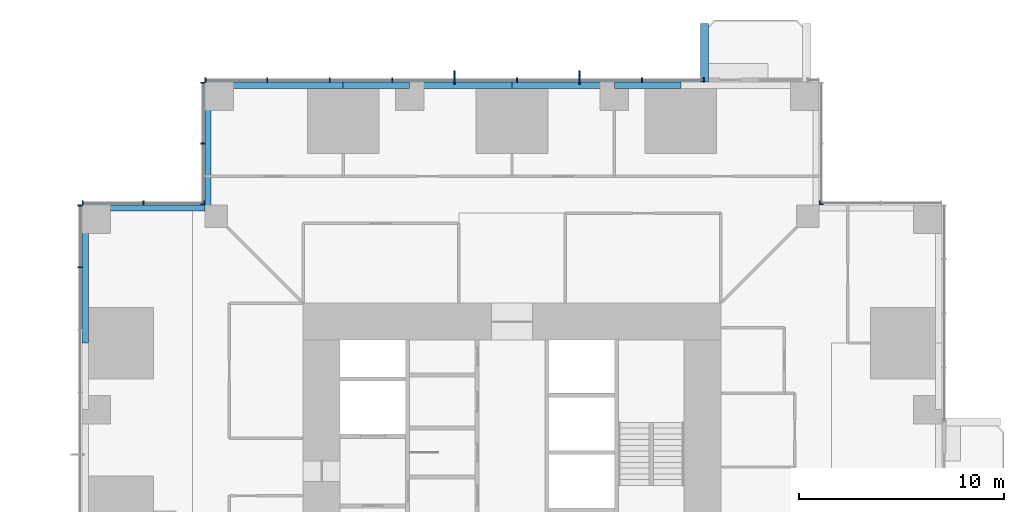
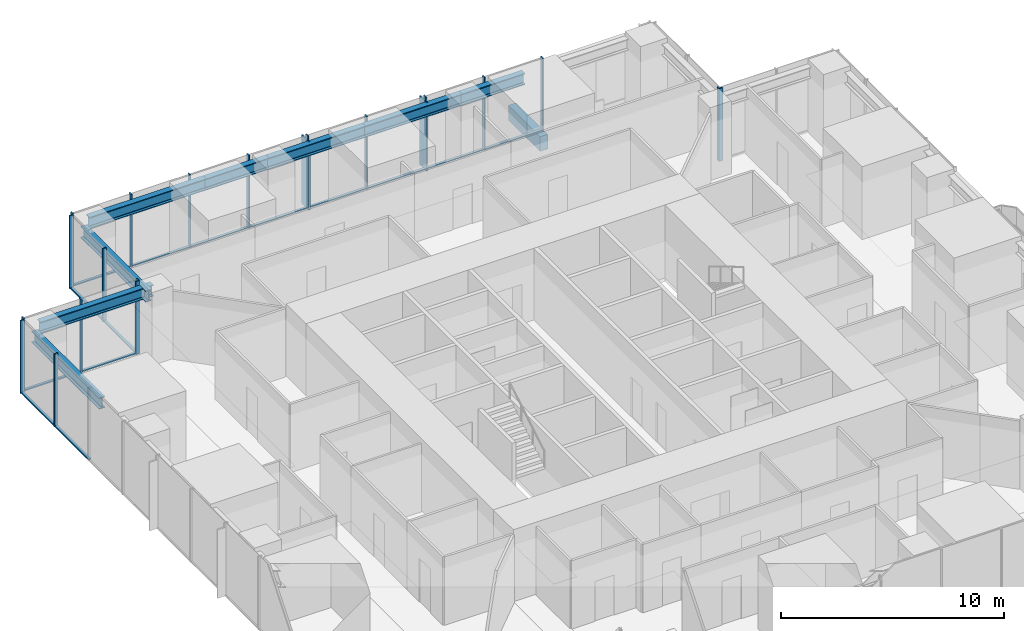
# One storey, part 5 of 18: 35 members, 9 beams, 6 elements without a shape of their own.
"""IFC4 building model written with IfcOpenShell, lengths in metres."""

from ifc_helpers import new_model, si_unit, direction, frame, origin, origin_2d, place, context, subcontext, project, spatial, rectangle, i_section, extrude, material, material_profile, profile_set, type_object, element, aggregate, save


model = new_model("IFC4")

# Units and contexts
model_context = context("Model", 3, precision=1e-05, world=origin(), true_north=direction((0.0, 1.0)))
body_context = subcontext(model_context, "Body", "Model", "MODEL_VIEW")
ifc_project = project(units=[si_unit("LENGTHUNIT", "METRE"), si_unit("AREAUNIT", "SQUARE_METRE"), si_unit("VOLUMEUNIT", "CUBIC_METRE"), si_unit("PLANEANGLEUNIT", "RADIAN"), si_unit("MASSUNIT", "GRAM", prefix="KILO")], contexts=[model_context])

# Site, building, storey
site_placement = place(None, origin())
site = spatial("IfcSite", under=ifc_project, at=site_placement, CompositionType="ELEMENT")
building_placement = place(site_placement, origin())
building = spatial("IfcBuilding", under=site, at=building_placement, Name="Svetlomir Tower", CompositionType="ELEMENT")
storey_placement = place(building_placement, frame((0.0, 0.0, 54.5)))
storey = spatial("IfcBuildingStorey", under=building, at=storey_placement, Name="L12", CompositionType="ELEMENT", Elevation=54.5)

# Beam
ifc_material_1 = material(Name="Concrete C60/75", Category="concrete")
ifc_material_profile_1 = material_profile(ifc_material_1, rectangle(XDim=0.39990234375, YDim=0.800048828125, at=origin_2d()), Name="RC 400x800")
ifc_profile_set_1 = profile_set([ifc_material_profile_1], Name="Concrete C60/75")
beam_type_1 = type_object("IfcBeamType", Name="BALCONY RIB RC 400x800", PredefinedType="BEAM", material=ifc_profile_set_1)
beam_1_placement = place(storey_placement, frame((30.39990234375, 42.0, -0.64990234375), z_axis=(0.0, 1.0, 0.0), x_axis=(-1.0, 0.0, 0.0)))
element("IfcBeam", 1, at=beam_1_placement, inside=storey, type_object=beam_type_1, Name="Balcony rib N 1 L12", PredefinedType="BEAM", context=body_context, shape_type="SweptSolid", body=[
    extrude(rectangle(XDim=0.39990234375, YDim=0.800048828125, at=origin_2d()), origin(), (0.0, 0.0, 1.0), 2.85009765625),
])

# Curtain wall, members
ifc_material_2 = material(Name="Bronze anodised aluminium curtain wall", Category="aluminium")
curtain_wall_type = type_object("IfcCurtainWallType", Name="CURTAIN WALL CW1 TOWER OFFICE", PredefinedType="NOTDEFINED", material=ifc_material_2)
curtain_wall_1_placement = place(storey_placement, origin())
curtain_wall_1 = element("IfcCurtainWall", 2, at=curtain_wall_1_placement, inside=storey, type_object=curtain_wall_type, Name="Curtain wall CW1 L12", PredefinedType="NOTDEFINED")
ifc_material_3 = material(Name="Bronze anodised aluminium", Category="aluminium")
ifc_material_profile_2 = material_profile(ifc_material_3, rectangle(XDim=0.080078125, YDim=0.64990234375, at=origin_2d()), Name="FIN 80x650")
ifc_profile_set_2 = profile_set([ifc_material_profile_2], Name="Bronze anodised aluminium 6063-T6")
member_type_1 = type_object("IfcMemberType", Name="BRONZE FIN 80x650", PredefinedType="USERDEFINED", material=ifc_profile_set_2)
member_1_placement = place(storey_placement, frame((24.300048828125, 42.22509765625, 0.0), z_axis=(0.0, 0.0, 1.0), x_axis=(1.0, 0.0, 0.0)))
member_1 = element("IfcMember", 3, at=member_1_placement, type_object=member_type_1, Name="Bronze fin L12", ObjectType="FIN", PredefinedType="USERDEFINED", context=body_context, shape_type="SweptSolid", body=[
    extrude(rectangle(XDim=0.080078125, YDim=0.64990234375, at=origin_2d()), origin(), (0.0, 0.0, 1.0), 3.75),
])
member_2_placement = place(storey_placement, frame((18.199951171875, 42.22509765625, 0.0), z_axis=(0.0, 0.0, 1.0), x_axis=(1.0, 0.0, 0.0)))
member_2 = element("IfcMember", 4, at=member_2_placement, type_object=member_type_1, Name="Bronze fin L12", ObjectType="FIN", PredefinedType="USERDEFINED", context=body_context, shape_type="SweptSolid", body=[
    extrude(rectangle(XDim=0.080078125, YDim=0.64990234375, at=origin_2d()), origin(), (0.0, 0.0, 1.0), 3.75),
])

# Curtain wall, member
curtain_wall_2_placement = place(storey_placement, origin())
curtain_wall_2 = element("IfcCurtainWall", 5, at=curtain_wall_2_placement, inside=storey, type_object=curtain_wall_type, Name="Curtain wall CW1 L12", PredefinedType="NOTDEFINED")
ifc_material_4 = material(Name="Bronze anodised aluminium", Category="aluminium")
ifc_material_profile_3 = material_profile(ifc_material_4, rectangle(XDim=0.06494140625, YDim=0.199951171875, at=origin_2d()), Name="AL 65x200")
ifc_profile_set_3 = profile_set([ifc_material_profile_3], Name="Bronze anodised aluminium 6063-T6")
member_type_2 = type_object("IfcMemberType", Name="CW1 MULLION 65x200", PredefinedType="MULLION", material=ifc_profile_set_3)
member_3_placement = place(storey_placement, frame((36.032470703125, 36.10009765625, 0.0), z_axis=(0.0, 0.0, 1.0), x_axis=(-1.0, 0.0, 0.0)))
member_3 = element("IfcMember", 6, at=member_3_placement, type_object=member_type_2, Name="CW1 mullion 3", PredefinedType="MULLION", context=body_context, shape_type="SweptSolid", body=[
    extrude(rectangle(XDim=0.06494140625, YDim=0.199951171875, at=origin_2d()), origin(), (0.0, 0.0, 1.0), 4.0),
])
aggregate(curtain_wall_2, [member_3])

curtain_wall_3_placement = place(storey_placement, origin())
curtain_wall_3 = element("IfcCurtainWall", 7, at=curtain_wall_3_placement, inside=storey, type_object=curtain_wall_type, Name="Curtain wall CW1 L12", PredefinedType="NOTDEFINED")
member_4_placement = place(storey_placement, frame((36.10009765625, 36.032470703125, 0.0), z_axis=(0.0, 0.0, 1.0), x_axis=(0.0, 1.0, 0.0)))
member_4 = element("IfcMember", 8, at=member_4_placement, type_object=member_type_2, Name="CW1 mullion 1", PredefinedType="MULLION", context=body_context, shape_type="SweptSolid", body=[
    extrude(rectangle(XDim=0.06494140625, YDim=0.199951171875, at=origin_2d()), origin(), (0.0, 0.0, 1.0), 4.0),
])
aggregate(curtain_wall_3, [member_4])

# Member
member_5_placement = place(storey_placement, frame((30.367431640625, 42.10009765625, 0.0), z_axis=(0.0, 0.0, 1.0), x_axis=(-1.0, 0.0, 0.0)))
member_5 = element("IfcMember", 9, at=member_5_placement, type_object=member_type_2, Name="CW1 mullion 1", PredefinedType="MULLION", context=body_context, shape_type="SweptSolid", body=[
    extrude(rectangle(XDim=0.06494140625, YDim=0.199951171875, at=origin_2d()), origin(), (0.0, 0.0, 1.0), 4.0),
])

member_6_placement = place(storey_placement, frame((27.35009765625, 42.10009765625, 0.0), z_axis=(0.0, 0.0, 1.0), x_axis=(-1.0, 0.0, 0.0)))
member_6 = element("IfcMember", 10, at=member_6_placement, type_object=member_type_2, Name="CW1 mullion 2", PredefinedType="MULLION", context=body_context, shape_type="SweptSolid", body=[
    extrude(rectangle(XDim=0.06494140625, YDim=0.199951171875, at=origin_2d()), origin(), (0.0, 0.0, 1.0), 4.0),
])

member_7_placement = place(storey_placement, frame((24.300048828125, 42.10009765625, 0.0), z_axis=(0.0, 0.0, 1.0), x_axis=(-1.0, 0.0, 0.0)))
member_7 = element("IfcMember", 11, at=member_7_placement, type_object=member_type_2, Name="CW1 mullion 3", PredefinedType="MULLION", context=body_context, shape_type="SweptSolid", body=[
    extrude(rectangle(XDim=0.06494140625, YDim=0.199951171875, at=origin_2d()), origin(), (0.0, 0.0, 1.0), 4.0),
])

member_8_placement = place(storey_placement, frame((21.25, 42.10009765625, 0.0), z_axis=(0.0, 0.0, 1.0), x_axis=(-1.0, 0.0, 0.0)))
member_8 = element("IfcMember", 12, at=member_8_placement, type_object=member_type_2, Name="CW1 mullion 4", PredefinedType="MULLION", context=body_context, shape_type="SweptSolid", body=[
    extrude(rectangle(XDim=0.06494140625, YDim=0.199951171875, at=origin_2d()), origin(), (0.0, 0.0, 1.0), 4.0),
])

member_9_placement = place(storey_placement, frame((18.199951171875, 42.10009765625, 0.0), z_axis=(0.0, 0.0, 1.0), x_axis=(-1.0, 0.0, 0.0)))
member_9 = element("IfcMember", 13, at=member_9_placement, type_object=member_type_2, Name="CW1 mullion 5", PredefinedType="MULLION", context=body_context, shape_type="SweptSolid", body=[
    extrude(rectangle(XDim=0.06494140625, YDim=0.199951171875, at=origin_2d()), origin(), (0.0, 0.0, 1.0), 4.0),
])

member_10_placement = place(storey_placement, frame((15.14990234375, 42.10009765625, 0.0), z_axis=(0.0, 0.0, 1.0), x_axis=(-1.0, 0.0, 0.0)))
member_10 = element("IfcMember", 14, at=member_10_placement, type_object=member_type_2, Name="CW1 mullion 6", PredefinedType="MULLION", context=body_context, shape_type="SweptSolid", body=[
    extrude(rectangle(XDim=0.06494140625, YDim=0.199951171875, at=origin_2d()), origin(), (0.0, 0.0, 1.0), 4.0),
])

member_11_placement = place(storey_placement, frame((12.10009765625, 42.10009765625, 0.0), z_axis=(0.0, 0.0, 1.0), x_axis=(-1.0, 0.0, 0.0)))
member_11 = element("IfcMember", 15, at=member_11_placement, type_object=member_type_2, Name="CW1 mullion 7", PredefinedType="MULLION", context=body_context, shape_type="SweptSolid", body=[
    extrude(rectangle(XDim=0.06494140625, YDim=0.199951171875, at=origin_2d()), origin(), (0.0, 0.0, 1.0), 4.0),
])

member_12_placement = place(storey_placement, frame((9.050048828125, 42.10009765625, 0.0), z_axis=(0.0, 0.0, 1.0), x_axis=(-1.0, 0.0, 0.0)))
member_12 = element("IfcMember", 16, at=member_12_placement, type_object=member_type_2, Name="CW1 mullion 8", PredefinedType="MULLION", context=body_context, shape_type="SweptSolid", body=[
    extrude(rectangle(XDim=0.06494140625, YDim=0.199951171875, at=origin_2d()), origin(), (0.0, 0.0, 1.0), 4.0),
])

member_13_placement = place(storey_placement, frame((6.032470703125, 42.10009765625, 0.0), z_axis=(0.0, 0.0, 1.0), x_axis=(-1.0, 0.0, 0.0)))
member_13 = element("IfcMember", 17, at=member_13_placement, type_object=member_type_2, Name="CW1 mullion 9", PredefinedType="MULLION", context=body_context, shape_type="SweptSolid", body=[
    extrude(rectangle(XDim=0.06494140625, YDim=0.199951171875, at=origin_2d()), origin(), (0.0, 0.0, 1.0), 4.0),
])

# Curtain wall, members
curtain_wall_4_placement = place(storey_placement, origin())
curtain_wall_4 = element("IfcCurtainWall", 18, at=curtain_wall_4_placement, inside=storey, type_object=curtain_wall_type, Name="Curtain wall CW1 L12", PredefinedType="NOTDEFINED")
member_14_placement = place(storey_placement, frame((5.89990234375, 41.967529296875, 0.0), z_axis=(0.0, 0.0, 1.0), x_axis=(0.0, -1.0, 0.0)))
member_14 = element("IfcMember", 19, at=member_14_placement, type_object=member_type_2, Name="CW1 mullion 1", PredefinedType="MULLION", context=body_context, shape_type="SweptSolid", body=[
    extrude(rectangle(XDim=0.06494140625, YDim=0.199951171875, at=origin_2d()), origin(), (0.0, 0.0, 1.0), 4.0),
])
member_15_placement = place(storey_placement, frame((5.89990234375, 39.0, 0.0), z_axis=(0.0, 0.0, 1.0), x_axis=(0.0, -1.0, 0.0)))
member_15 = element("IfcMember", 20, at=member_15_placement, type_object=member_type_2, Name="CW1 mullion 2", PredefinedType="MULLION", context=body_context, shape_type="SweptSolid", body=[
    extrude(rectangle(XDim=0.06494140625, YDim=0.199951171875, at=origin_2d()), origin(), (0.0, 0.0, 1.0), 4.0),
])
member_16_placement = place(storey_placement, frame((5.89990234375, 36.032470703125, 0.0), z_axis=(0.0, 0.0, 1.0), x_axis=(0.0, -1.0, 0.0)))
member_16 = element("IfcMember", 21, at=member_16_placement, type_object=member_type_2, Name="CW1 mullion 3", PredefinedType="MULLION", context=body_context, shape_type="SweptSolid", body=[
    extrude(rectangle(XDim=0.06494140625, YDim=0.199951171875, at=origin_2d()), origin(), (0.0, 0.0, 1.0), 4.0),
])

curtain_wall_5_placement = place(storey_placement, origin())
curtain_wall_5 = element("IfcCurtainWall", 22, at=curtain_wall_5_placement, inside=storey, type_object=curtain_wall_type, Name="Curtain wall CW1 L12", PredefinedType="NOTDEFINED")
member_17_placement = place(storey_placement, frame((5.967529296875, 36.10009765625, 0.0), z_axis=(0.0, 0.0, 1.0), x_axis=(-1.0, 0.0, 0.0)))
member_17 = element("IfcMember", 23, at=member_17_placement, type_object=member_type_2, Name="CW1 mullion 1", PredefinedType="MULLION", context=body_context, shape_type="SweptSolid", body=[
    extrude(rectangle(XDim=0.06494140625, YDim=0.199951171875, at=origin_2d()), origin(), (0.0, 0.0, 1.0), 4.0),
])
member_18_placement = place(storey_placement, frame((3.0, 36.10009765625, 0.0), z_axis=(0.0, 0.0, 1.0), x_axis=(-1.0, 0.0, 0.0)))
member_18 = element("IfcMember", 24, at=member_18_placement, type_object=member_type_2, Name="CW1 mullion 2", PredefinedType="MULLION", context=body_context, shape_type="SweptSolid", body=[
    extrude(rectangle(XDim=0.06494140625, YDim=0.199951171875, at=origin_2d()), origin(), (0.0, 0.0, 1.0), 4.0),
])
member_19_placement = place(storey_placement, frame((0.032470703125, 36.10009765625, 0.0), z_axis=(0.0, 0.0, 1.0), x_axis=(-1.0, 0.0, 0.0)))
member_19 = element("IfcMember", 25, at=member_19_placement, type_object=member_type_2, Name="CW1 mullion 3", PredefinedType="MULLION", context=body_context, shape_type="SweptSolid", body=[
    extrude(rectangle(XDim=0.06494140625, YDim=0.199951171875, at=origin_2d()), origin(), (0.0, 0.0, 1.0), 4.0),
])

curtain_wall_6_placement = place(storey_placement, origin())
curtain_wall_6 = element("IfcCurtainWall", 26, at=curtain_wall_6_placement, inside=storey, type_object=curtain_wall_type, Name="Curtain wall CW1 L12", PredefinedType="NOTDEFINED")
member_20_placement = place(storey_placement, frame((-0.10009765625, 35.967529296875, 0.0), z_axis=(0.0, 0.0, 1.0), x_axis=(0.0, -1.0, 0.0)))
member_20 = element("IfcMember", 27, at=member_20_placement, type_object=member_type_2, Name="CW1 mullion 1", PredefinedType="MULLION", context=body_context, shape_type="SweptSolid", body=[
    extrude(rectangle(XDim=0.06494140625, YDim=0.199951171875, at=origin_2d()), origin(), (0.0, 0.0, 1.0), 4.0),
])
member_21_placement = place(storey_placement, frame((-0.10009765625, 32.949951171875, 0.0), z_axis=(0.0, 0.0, 1.0), x_axis=(0.0, -1.0, 0.0)))
member_21 = element("IfcMember", 28, at=member_21_placement, type_object=member_type_2, Name="CW1 mullion 2", PredefinedType="MULLION", context=body_context, shape_type="SweptSolid", body=[
    extrude(rectangle(XDim=0.06494140625, YDim=0.199951171875, at=origin_2d()), origin(), (0.0, 0.0, 1.0), 4.0),
])

# Member
ifc_material_5 = material(Name="Bronze anodised aluminium", Category="aluminium")
ifc_material_profile_4 = material_profile(ifc_material_5, rectangle(XDim=0.139892578125, YDim=0.06494140625, at=origin_2d()), Name="AL 140x65")
ifc_profile_set_4 = profile_set([ifc_material_profile_4], Name="Bronze anodised aluminium 6063-T6")
member_type_3 = type_object("IfcMemberType", Name="CW1 TRANSOM 65x140", PredefinedType="USERDEFINED", material=ifc_profile_set_4)
member_22_placement = place(storey_placement, frame((30.3349609375, 42.10009765625, 0.032470703125), z_axis=(-1.0, 0.0, 0.0), x_axis=(0.0, -1.0, 0.0)))
member_22 = element("IfcMember", 29, at=member_22_placement, type_object=member_type_3, Name="CW1 transom 1.1", ObjectType="TRANSOM", PredefinedType="USERDEFINED", context=body_context, shape_type="SweptSolid", body=[
    extrude(rectangle(XDim=0.139892578125, YDim=0.06494140625, at=origin_2d()), origin(), (0.0, 0.0, 1.0), 2.952392578125),
])

member_23_placement = place(storey_placement, frame((27.3173828125, 42.10009765625, 0.032470703125), z_axis=(-1.0, 0.0, 0.0), x_axis=(0.0, -1.0, 0.0)))
member_23 = element("IfcMember", 30, at=member_23_placement, type_object=member_type_3, Name="CW1 transom 2.1", ObjectType="TRANSOM", PredefinedType="USERDEFINED", context=body_context, shape_type="SweptSolid", body=[
    extrude(rectangle(XDim=0.139892578125, YDim=0.06494140625, at=origin_2d()), origin(), (0.0, 0.0, 1.0), 2.98486328125),
])

member_24_placement = place(storey_placement, frame((24.267578125, 42.10009765625, 0.032470703125), z_axis=(-1.0, 0.0, 0.0), x_axis=(0.0, -1.0, 0.0)))
member_24 = element("IfcMember", 31, at=member_24_placement, type_object=member_type_3, Name="CW1 transom 3.1", ObjectType="TRANSOM", PredefinedType="USERDEFINED", context=body_context, shape_type="SweptSolid", body=[
    extrude(rectangle(XDim=0.139892578125, YDim=0.06494140625, at=origin_2d()), origin(), (0.0, 0.0, 1.0), 2.985107421875),
])

member_25_placement = place(storey_placement, frame((21.217529296875, 42.10009765625, 0.032470703125), z_axis=(-1.0, 0.0, 0.0), x_axis=(0.0, -1.0, 0.0)))
member_25 = element("IfcMember", 32, at=member_25_placement, type_object=member_type_3, Name="CW1 transom 4.1", ObjectType="TRANSOM", PredefinedType="USERDEFINED", context=body_context, shape_type="SweptSolid", body=[
    extrude(rectangle(XDim=0.139892578125, YDim=0.06494140625, at=origin_2d()), origin(), (0.0, 0.0, 1.0), 2.985107421875),
])

member_26_placement = place(storey_placement, frame((18.16748046875, 42.10009765625, 0.032470703125), z_axis=(-1.0, 0.0, 0.0), x_axis=(0.0, -1.0, 0.0)))
member_26 = element("IfcMember", 33, at=member_26_placement, type_object=member_type_3, Name="CW1 transom 5.1", ObjectType="TRANSOM", PredefinedType="USERDEFINED", context=body_context, shape_type="SweptSolid", body=[
    extrude(rectangle(XDim=0.139892578125, YDim=0.06494140625, at=origin_2d()), origin(), (0.0, 0.0, 1.0), 2.98486328125),
])

member_27_placement = place(storey_placement, frame((15.117431640625, 42.10009765625, 0.032470703125), z_axis=(-1.0, 0.0, 0.0), x_axis=(0.0, -1.0, 0.0)))
member_27 = element("IfcMember", 34, at=member_27_placement, type_object=member_type_3, Name="CW1 transom 6.1", ObjectType="TRANSOM", PredefinedType="USERDEFINED", context=body_context, shape_type="SweptSolid", body=[
    extrude(rectangle(XDim=0.139892578125, YDim=0.06494140625, at=origin_2d()), origin(), (0.0, 0.0, 1.0), 2.98486328125),
])

member_28_placement = place(storey_placement, frame((12.0673828125, 42.10009765625, 0.032470703125), z_axis=(-1.0, 0.0, 0.0), x_axis=(0.0, -1.0, 0.0)))
member_28 = element("IfcMember", 35, at=member_28_placement, type_object=member_type_3, Name="CW1 transom 7.1", ObjectType="TRANSOM", PredefinedType="USERDEFINED", context=body_context, shape_type="SweptSolid", body=[
    extrude(rectangle(XDim=0.139892578125, YDim=0.06494140625, at=origin_2d()), origin(), (0.0, 0.0, 1.0), 2.98486328125),
])

member_29_placement = place(storey_placement, frame((9.017578125, 42.10009765625, 0.032470703125), z_axis=(-1.0, 0.0, 0.0), x_axis=(0.0, -1.0, 0.0)))
member_29 = element("IfcMember", 36, at=member_29_placement, type_object=member_type_3, Name="CW1 transom 8.1", ObjectType="TRANSOM", PredefinedType="USERDEFINED", context=body_context, shape_type="SweptSolid", body=[
    extrude(rectangle(XDim=0.139892578125, YDim=0.06494140625, at=origin_2d()), origin(), (0.0, 0.0, 1.0), 2.95263671875),
])

aggregate(curtain_wall_1, [member_5, member_6, member_7, member_8, member_9, member_10, member_11, member_12, member_13, member_22, member_23, member_24, member_25, member_26, member_27, member_28, member_29, member_1, member_2])

member_30_placement = place(storey_placement, frame((5.89990234375, 41.93505859375, 0.032470703125), z_axis=(0.0, -1.0, 0.0), x_axis=(1.0, 0.0, 0.0)))
member_30 = element("IfcMember", 37, at=member_30_placement, type_object=member_type_3, Name="CW1 transom 1.1", ObjectType="TRANSOM", PredefinedType="USERDEFINED", context=body_context, shape_type="SweptSolid", body=[
    extrude(rectangle(XDim=0.139892578125, YDim=0.06494140625, at=origin_2d()), origin(), (0.0, 0.0, 1.0), 2.902587890625),
])

member_31_placement = place(storey_placement, frame((5.89990234375, 38.967529296875, 0.032470703125), z_axis=(0.0, -1.0, 0.0), x_axis=(1.0, 0.0, 0.0)))
member_31 = element("IfcMember", 38, at=member_31_placement, type_object=member_type_3, Name="CW1 transom 2.1", ObjectType="TRANSOM", PredefinedType="USERDEFINED", context=body_context, shape_type="SweptSolid", body=[
    extrude(rectangle(XDim=0.139892578125, YDim=0.06494140625, at=origin_2d()), origin(), (0.0, 0.0, 1.0), 2.902587890625),
])

aggregate(curtain_wall_4, [member_14, member_15, member_16, member_30, member_31])

member_32_placement = place(storey_placement, frame((5.93505859375, 36.10009765625, 0.032470703125), z_axis=(-1.0, 0.0, 0.0), x_axis=(0.0, -1.0, 0.0)))
member_32 = element("IfcMember", 39, at=member_32_placement, type_object=member_type_3, Name="CW1 transom 1.1", ObjectType="TRANSOM", PredefinedType="USERDEFINED", context=body_context, shape_type="SweptSolid", body=[
    extrude(rectangle(XDim=0.139892578125, YDim=0.06494140625, at=origin_2d()), origin(), (0.0, 0.0, 1.0), 2.902587890625),
])

member_33_placement = place(storey_placement, frame((2.967529296875, 36.10009765625, 0.032470703125), z_axis=(-1.0, 0.0, 0.0), x_axis=(0.0, -1.0, 0.0)))
member_33 = element("IfcMember", 40, at=member_33_placement, type_object=member_type_3, Name="CW1 transom 2.1", ObjectType="TRANSOM", PredefinedType="USERDEFINED", context=body_context, shape_type="SweptSolid", body=[
    extrude(rectangle(XDim=0.139892578125, YDim=0.06494140625, at=origin_2d()), origin(), (0.0, 0.0, 1.0), 2.902587890625),
])

aggregate(curtain_wall_5, [member_17, member_18, member_19, member_32, member_33])

member_34_placement = place(storey_placement, frame((-0.10009765625, 35.93505859375, 0.032470703125), z_axis=(0.0, -1.0, 0.0), x_axis=(1.0, 0.0, 0.0)))
member_34 = element("IfcMember", 41, at=member_34_placement, type_object=member_type_3, Name="CW1 transom 1.1", ObjectType="TRANSOM", PredefinedType="USERDEFINED", context=body_context, shape_type="SweptSolid", body=[
    extrude(rectangle(XDim=0.139892578125, YDim=0.06494140625, at=origin_2d()), origin(), (0.0, 0.0, 1.0), 2.95263671875),
])

member_35_placement = place(storey_placement, frame((-0.10009765625, 32.91748046875, 0.032470703125), z_axis=(0.0, -1.0, 0.0), x_axis=(1.0, 0.0, 0.0)))
member_35 = element("IfcMember", 42, at=member_35_placement, type_object=member_type_3, Name="CW1 transom 2.1", ObjectType="TRANSOM", PredefinedType="USERDEFINED", context=body_context, shape_type="SweptSolid", body=[
    extrude(rectangle(XDim=0.139892578125, YDim=0.06494140625, at=origin_2d()), origin(), (0.0, 0.0, 1.0), 2.98486328125),
])

aggregate(curtain_wall_6, [member_20, member_21, member_34, member_35])

# Beams
ifc_material_6 = material(Name="Steel S355", Category="steel")
ifc_material_profile_5 = material_profile(ifc_material_6, i_section(OverallWidth=0.304931640625, OverallDepth=0.6201171875, WebThickness=0.02099609375, FlangeThickness=0.0400390625, FilletRadius=0.027099609375, at=origin_2d()), Name="HEM 600")
ifc_profile_set_5 = profile_set([ifc_material_profile_5], Name="Steel S355")
beam_type_2 = type_object("IfcBeamType", Name="EDGE BEAM HEM 600", PredefinedType="SPANDREL", material=ifc_profile_set_5)
beam_2_placement = place(storey_placement, frame((6.699951171875, 41.847412109375, 3.43994140625), z_axis=(1.0, 0.0, 0.0), x_axis=(0.0, 1.0, 0.0)))
element("IfcBeam", 43, at=beam_2_placement, inside=storey, type_object=beam_type_2, Name="Edge beam 6/42 to 11/42 under L13", PredefinedType="SPANDREL", context=body_context, shape_type="SweptSolid", body=[
    extrude(i_section(OverallWidth=0.304931640625, OverallDepth=0.6201171875, WebThickness=0.02099609375, FlangeThickness=0.0400390625, FilletRadius=0.027099609375, at=origin_2d()), origin(), (0.0, 0.0, 1.0), 6.050048828125),
])
beam_3_placement = place(storey_placement, frame((12.75, 41.847412109375, 3.43994140625), z_axis=(1.0, 0.0, 0.0), x_axis=(0.0, 1.0, 0.0)))
element("IfcBeam", 44, at=beam_3_placement, inside=storey, type_object=beam_type_2, Name="Edge beam 11/42 to 16/42 under L13", PredefinedType="SPANDREL", context=body_context, shape_type="SweptSolid", body=[
    extrude(i_section(OverallWidth=0.304931640625, OverallDepth=0.6201171875, WebThickness=0.02099609375, FlangeThickness=0.0400390625, FilletRadius=0.027099609375, at=origin_2d()), origin(), (0.0, 0.0, 1.0), 3.25),
])
for number, where, z_axis, x_axis, name in (
    (45, (16.0, 41.847412109375, 3.43994140625), (1.0, 0.0, 0.0), (0.0, 1.0, 0.0), "Edge beam 16/42 to 21/42 under L13"),
    (46, (21.0, 41.847412109375, 3.43994140625), (1.0, 0.0, 0.0), (0.0, 1.0, 0.0), "Edge beam 21/42 to 26/42 under L13"),
):
    element("IfcBeam", number, at=place(storey_placement, frame(where, z_axis=z_axis, x_axis=x_axis)), inside=storey, type_object=beam_type_2, Name=name, PredefinedType="SPANDREL", context=body_context, shape_type="SweptSolid", body=[
        extrude(i_section(OverallWidth=0.304931640625, OverallDepth=0.6201171875, WebThickness=0.02099609375, FlangeThickness=0.0400390625, FilletRadius=0.027099609375, at=origin_2d()), origin(), (0.0, 0.0, 1.0), 5.0),
    ])
beam_4_placement = place(storey_placement, frame((26.0, 41.847412109375, 3.43994140625), z_axis=(1.0, 0.0, 0.0), x_axis=(0.0, 1.0, 0.0)))
element("IfcBeam", 47, at=beam_4_placement, inside=storey, type_object=beam_type_2, Name="Edge beam 26/42 to 31/42 under L13", PredefinedType="SPANDREL", context=body_context, shape_type="SweptSolid", body=[
    extrude(i_section(OverallWidth=0.304931640625, OverallDepth=0.6201171875, WebThickness=0.02099609375, FlangeThickness=0.0400390625, FilletRadius=0.027099609375, at=origin_2d()), origin(), (0.0, 0.0, 1.0), 3.25),
])
beam_5_placement = place(storey_placement, frame((0.152587890625, 29.25, 3.43994140625), z_axis=(0.0, 1.0, 0.0), x_axis=(-1.0, 0.0, 0.0)))
element("IfcBeam", 48, at=beam_5_placement, inside=storey, type_object=beam_type_2, Name="Edge beam 0/31 to 0/36 under L13", PredefinedType="SPANDREL", context=body_context, shape_type="SweptSolid", body=[
    extrude(i_section(OverallWidth=0.304931640625, OverallDepth=0.6201171875, WebThickness=0.02099609375, FlangeThickness=0.0400390625, FilletRadius=0.027099609375, at=origin_2d()), origin(), (0.0, 0.0, 1.0), 6.050048828125),
])
for number, where, z_axis, x_axis, name in (
    (49, (6.152587890625, 41.300048828125, 3.43994140625), (0.0, -1.0, 0.0), (1.0, 0.0, 0.0), "Edge beam 6/42 to 6/36 under L13"),
    (50, (0.699951171875, 35.847412109375, 3.43994140625), (1.0, 0.0, 0.0), (0.0, 1.0, 0.0), "Edge beam 0/36 to 6/36 under L13"),
):
    element("IfcBeam", number, at=place(storey_placement, frame(where, z_axis=z_axis, x_axis=x_axis)), inside=storey, type_object=beam_type_2, Name=name, PredefinedType="SPANDREL", context=body_context, shape_type="SweptSolid", body=[
        extrude(i_section(OverallWidth=0.304931640625, OverallDepth=0.6201171875, WebThickness=0.02099609375, FlangeThickness=0.0400390625, FilletRadius=0.027099609375, at=origin_2d()), origin(), (0.0, 0.0, 1.0), 5.85009765625),
    ])

save(model, "model.ifc")
